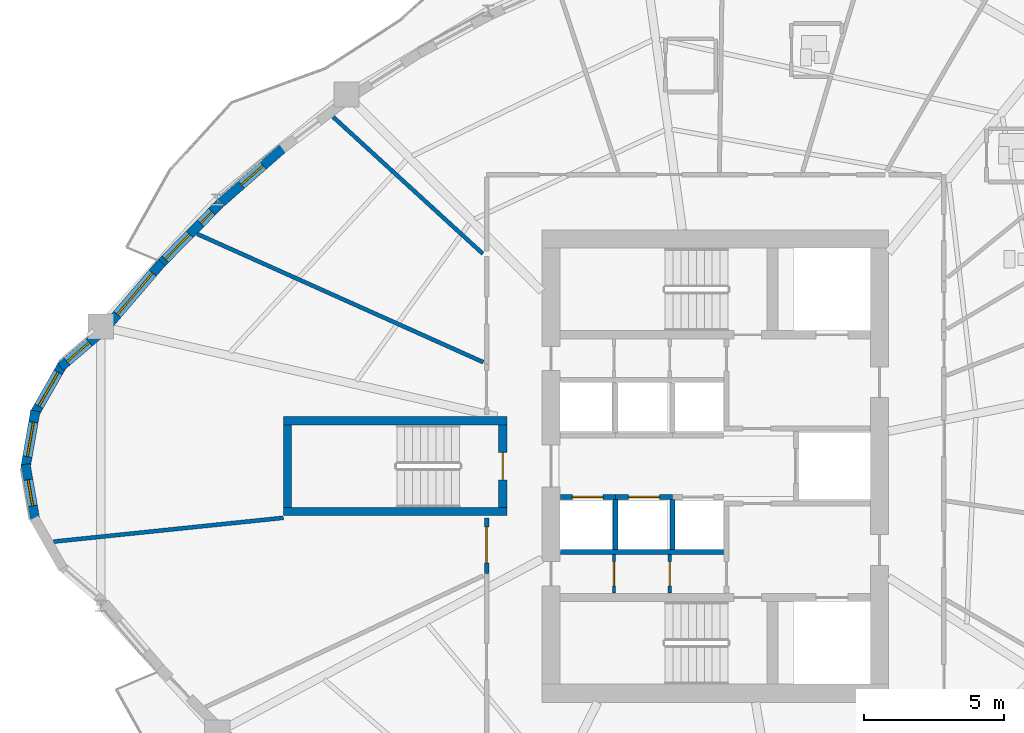
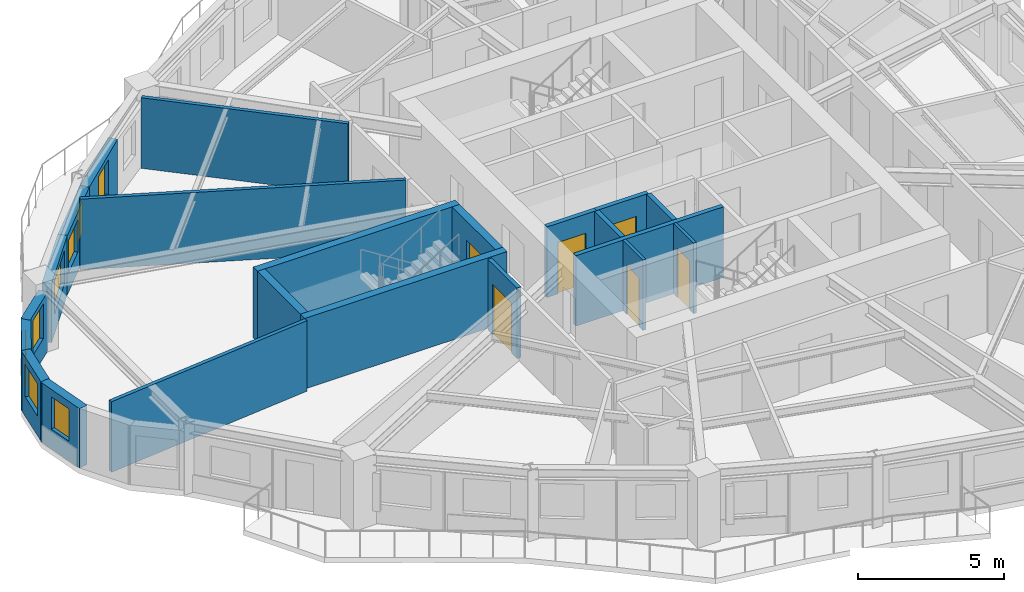
# One storey, part 4 of 12: 22 walls, 8 windows, 6 doors, 14 openings.
"""IFC4 building model written with IfcOpenShell, lengths in metres."""

import ifcopenshell
import ifcopenshell.guid

model = None  # the IFC model being written
_history = None  # IfcOwnerHistory: only IFC2X3 demands one
_inside = {}  # id of a spatial element -> (the spatial element, [elements in it])
_under = {}  # id of a project, library or spatial element -> (it, [spatial elements below it])
_declared = {}  # id of a project -> (the project, [libraries it declares])
_typed = {}  # id of a type object -> (the type object, [elements of that type])
_made_of = {}  # id of a material, layer set ... -> (it, [elements and type objects made of it])


def new_model(schema):
    """Start an empty IFC model of exactly this schema.

    Asked for "IFC4X3", IfcOpenShell would pick the latest addendum, in which some entities
    have other attributes; the version numbers below select the first issue.
    IFC2X3 requires an IfcOwnerHistory on every rooted entity: one is made here for all.
    """
    global model, _history
    if schema == "IFC4X3":
        model = ifcopenshell.file(schema_version=(4, 3, 0, 0))
    else:
        model = ifcopenshell.file(schema=schema)
    _inside.clear()
    _under.clear()
    _declared.clear()
    _typed.clear()
    _made_of.clear()
    _history = None
    if model.schema == "IFC2X3":
        org = make("IfcOrganization", Name="unknown")
        user = make(
            "IfcPersonAndOrganization",
            ThePerson=make("IfcPerson", FamilyName="unknown"),
            TheOrganization=org,
        )
        app = make(
            "IfcApplication",
            ApplicationDeveloper=org,
            Version="unknown",
            ApplicationFullName="unknown",
            ApplicationIdentifier="unknown",
        )
        _history = make(
            "IfcOwnerHistory",
            OwningUser=user,
            OwningApplication=app,
            ChangeAction="ADDED",
            CreationDate=0,
        )
    return model


def make(cls, **values):
    """One entity of the class cls with the attributes given. An attribute that is None is left unset."""
    return model.create_entity(
        cls, **{name: value for name, value in values.items() if value is not None}
    )


def rooted(cls, **values):
    """An entity with a GlobalId (a new one), such as an element, a storey or a relation."""
    return make(cls, GlobalId=ifcopenshell.guid.new(), OwnerHistory=_history, **values)


def si_unit(unit_type, name, prefix=None):
    """IfcSIUnit, for example si_unit("LENGTHUNIT", "METRE", prefix="MILLI")."""
    return make("IfcSIUnit", UnitType=unit_type, Prefix=prefix, Name=name)


def assignment(units):
    """IfcUnitAssignment: the units of a project."""
    return None if units is None else make("IfcUnitAssignment", Units=units)


def point(xyz):
    """IfcCartesianPoint."""
    return None if xyz is None else make("IfcCartesianPoint", Coordinates=xyz)


def direction(xyz):
    """IfcDirection."""
    return None if xyz is None else make("IfcDirection", DirectionRatios=xyz)


def frame(location, z_axis=None, x_axis=None):
    """IfcAxis2Placement3D, a coordinate frame: its origin and axes. An axis left out is left unset."""
    return make(
        "IfcAxis2Placement3D",
        Location=point(location),
        Axis=direction(z_axis),
        RefDirection=direction(x_axis),
    )


def frame_2d(location, x_axis=None):
    """IfcAxis2Placement2D, a coordinate frame in the plane: its origin and x axis."""
    return make(
        "IfcAxis2Placement2D", Location=point(location), RefDirection=direction(x_axis)
    )


def origin():
    """The frame at (0, 0, 0) with its axes left unset."""
    return frame((0.0, 0.0, 0.0))


def place(relative_to, where):
    """IfcLocalPlacement: puts the frame where relative to a parent placement (None: the world)."""
    return make(
        "IfcLocalPlacement", PlacementRelTo=relative_to, RelativePlacement=where
    )


def context(
    kind, dimensions, precision=None, world=None, true_north=None, identifier=None
):
    """IfcGeometricRepresentationContext, for example the 3D "Model" context."""
    return make(
        "IfcGeometricRepresentationContext",
        ContextIdentifier=identifier,
        ContextType=kind,
        CoordinateSpaceDimension=dimensions,
        Precision=precision,
        WorldCoordinateSystem=world,
        TrueNorth=true_north,
    )


def subcontext(parent, identifier, kind, view, scale=None):
    """IfcGeometricRepresentationSubContext, for example "Body" below "Model"."""
    return make(
        "IfcGeometricRepresentationSubContext",
        ContextIdentifier=identifier,
        ContextType=kind,
        ParentContext=parent,
        TargetScale=scale,
        TargetView=view,
    )


def project(units=None, contexts=None):
    """IfcProject with its units and contexts."""
    return rooted(
        "IfcProject",
        Name="project",
        RepresentationContexts=contexts,
        UnitsInContext=assignment(units),
    )


def spatial(cls, under=None, at=None, **own):
    """A site, building, storey or space (cls), placed at a placement, below another one or the project."""
    s = rooted(cls, ObjectPlacement=at, **own)
    if under is not None:
        _under.setdefault(under.id(), (under, []))[1].append(s)
    return s


def profile(cls, at=None, kind="AREA", **sizes):
    """A parametric profile (cls). Its sizes go by their IFC names, for example OverallWidth=200.0."""
    return make(cls, ProfileType=kind, Position=at, **sizes)


def rectangle(**sizes):
    """IfcRectangleProfileDef."""
    return profile("IfcRectangleProfileDef", **sizes)


def extrude(swept, where, along, depth):
    """IfcExtrudedAreaSolid: the profile swept, set in the frame where, extruded along a direction by depth."""
    return make(
        "IfcExtrudedAreaSolid",
        SweptArea=swept,
        Position=where,
        ExtrudedDirection=direction(along),
        Depth=depth,
    )


def shape(context_of_items, identifier, shape_type, items):
    """IfcShapeRepresentation: the items that make up one representation, for example the "Body"."""
    return make(
        "IfcShapeRepresentation",
        ContextOfItems=context_of_items,
        RepresentationIdentifier=identifier,
        RepresentationType=shape_type,
        Items=items,
    )


def source(mapping_origin, context_of_items, identifier, shape_type, items):
    """IfcRepresentationMap: a shape defined once, which mapped items show again and again."""
    return make(
        "IfcRepresentationMap",
        MappingOrigin=mapping_origin,
        MappedRepresentation=shape(context_of_items, identifier, shape_type, items),
    )


def transform(
    local_origin,
    x_axis=None,
    y_axis=None,
    z_axis=None,
    scale=None,
    scale2=None,
    scale3=None,
    uniform=True,
):
    """IfcCartesianTransformationOperator3D, or its non-uniform kind. x_axis, y_axis, z_axis: its Axis1, 2, 3."""
    if uniform:
        return make(
            "IfcCartesianTransformationOperator3D",
            Axis1=direction(x_axis),
            Axis2=direction(y_axis),
            LocalOrigin=point(local_origin),
            Scale=scale,
            Axis3=direction(z_axis),
        )
    return make(
        "IfcCartesianTransformationOperator3DnonUniform",
        Axis1=direction(x_axis),
        Axis2=direction(y_axis),
        LocalOrigin=point(local_origin),
        Scale=scale,
        Axis3=direction(z_axis),
        Scale2=scale2,
        Scale3=scale3,
    )


def mapped(mapping_source, mapping_target):
    """IfcMappedItem: shows the shape of a source again, moved by a transform."""
    return make(
        "IfcMappedItem", MappingSource=mapping_source, MappingTarget=mapping_target
    )


def material(Name=None, Category=None):
    """IfcMaterial."""
    return make("IfcMaterial", Name=Name, Category=Category)


def layer(
    of_material, thickness, ventilated=None, Name=None, Category=None, Priority=None
):
    """IfcMaterialLayer: one layer of a wall or slab, of a material (None: an air gap)."""
    return make(
        "IfcMaterialLayer",
        Material=of_material,
        LayerThickness=thickness,
        IsVentilated=ventilated,
        Name=Name,
        Category=Category,
        Priority=Priority,
    )


def layer_set(layers, Name=None):
    """IfcMaterialLayerSet."""
    return make("IfcMaterialLayerSet", MaterialLayers=layers, LayerSetName=Name)


def made_of(thing, what):
    """Note that an element or type object is made of a material, layer set ...; save() writes the relation."""
    if what is not None:
        _made_of.setdefault(what.id(), (what, []))[1].append(thing)
    return thing


def type_object(cls, material=None, **own):
    """A type object (cls), such as IfcWallType, which elements share."""
    return made_of(rooted(cls, **own), material)


def element(
    cls,
    number,
    at=None,
    inside=None,
    cuts=None,
    type_object=None,
    material=None,
    context=None,
    identifier="Body",
    shape_type=None,
    held_by="IfcProductDefinitionShape",
    body=None,
    shapes=None,
    **own,
):
    """One element of the class cls, such as IfcWall. Its Tag is "e" and its number.

    at: its placement. inside: the storey or other place that contains it. cuts: it is an
    opening in that element (IfcRelVoidsElement). A single representation is given by context,
    identifier, shape_type and body (its items); several are given by shapes. held_by: the class
    of the entity that holds the representations. save() writes the other relations.
    """
    e = rooted(cls, Tag="e%d" % number, ObjectPlacement=at, **own)
    if body is not None:
        shapes = [shape(context, identifier, shape_type, body)]
    if shapes is not None:
        e.Representation = make(held_by, Representations=shapes)
    if inside is not None:
        _inside.setdefault(inside.id(), (inside, []))[1].append(e)
    if cuts is not None:
        rooted(
            "IfcRelVoidsElement", RelatingBuildingElement=cuts, RelatedOpeningElement=e
        )
    if type_object is not None:
        _typed.setdefault(type_object.id(), (type_object, []))[1].append(e)
    return made_of(e, material)


def fill(opening, filler):
    """IfcRelFillsElement: the door or window that sits in an opening."""
    return rooted(
        "IfcRelFillsElement",
        RelatingOpeningElement=opening,
        RelatedBuildingElement=filler,
    )


def aggregate(whole, parts):
    """IfcRelAggregates: a whole, such as a stair, and the parts it consists of."""
    return rooted("IfcRelAggregates", RelatingObject=whole, RelatedObjects=parts)


def save(model, path):
    """Write the relations noted so far, then the file.

    IfcRelAggregates (storeys below a building ...), IfcRelContainedInSpatialStructure (elements
    in a storey), IfcRelDefinesByType, IfcRelAssociatesMaterial and IfcRelDeclares: one each for
    every whole, place, type object, material and project.
    """
    for whole, parts in _under.values():
        aggregate(whole, parts)
    for where, things in _inside.values():
        rooted(
            "IfcRelContainedInSpatialStructure",
            RelatedElements=things,
            RelatingStructure=where,
        )
    for kind, things in _typed.values():
        rooted("IfcRelDefinesByType", RelatedObjects=things, RelatingType=kind)
    for what, things in _made_of.values():
        rooted("IfcRelAssociatesMaterial", RelatedObjects=things, RelatingMaterial=what)
    for by, libraries in _declared.values():
        rooted("IfcRelDeclares", RelatingContext=by, RelatedDefinitions=libraries)
    model.write(path)


model = new_model("IFC4")

# Units and contexts
model_context = context("Model", 3, precision=1e-05, world=origin(), true_north=direction((0.0, 1.0)))
body_context = subcontext(model_context, "Body", "Model", "MODEL_VIEW")
ifc_project = project(units=[si_unit("LENGTHUNIT", "METRE"), si_unit("AREAUNIT", "SQUARE_METRE"), si_unit("VOLUMEUNIT", "CUBIC_METRE"), si_unit("PLANEANGLEUNIT", "RADIAN"), si_unit("MASSUNIT", "GRAM", prefix="KILO")], contexts=[model_context])

# Site, building, storey
site_placement = place(None, origin())
site = spatial("IfcSite", under=ifc_project, at=site_placement, CompositionType="ELEMENT")
building_placement = place(site_placement, origin())
building = spatial("IfcBuilding", under=site, at=building_placement, Name="Qafzar Sky-Pleat Residences", CompositionType="ELEMENT")
storey_placement = place(building_placement, frame((0.0, 0.0, 96.0)))
storey = spatial("IfcBuildingStorey", under=building, at=storey_placement, Name="L28", CompositionType="ELEMENT", Elevation=96.0)

# Wall, opening, door
ifc_material_1 = material(Name="Acoustic gypsum plasterboard partition", Category="gypsum")
ifc_layer_1 = layer(ifc_material_1, 0.159912109375)
ifc_layer_set_1 = layer_set([ifc_layer_1], Name="Acoustic gypsum plasterboard partition")
wall_type_1 = type_object("IfcWallType", Name="PART-COR-160", PredefinedType="PARTITIONING", material=ifc_layer_set_1)
wall_1_placement = place(storey_placement, frame((22.169921875, 22.1640625, 0.0), z_axis=(0.0, 0.0, 1.0), x_axis=(0.0, 1.0, 0.0)))
wall_1 = element("IfcWall", 1, at=wall_1_placement, inside=storey, type_object=wall_type_1, Name="L28 Partition Wall PART-L28-PW-014", PredefinedType="PARTITIONING", context=body_context, shape_type="SweptSolid", body=[
    extrude(rectangle(XDim=1.98583984375, YDim=0.159912109375, at=frame_2d((0.992919921875, 0.0))), origin(), (0.0, 0.0, 1.0), 2.949951171875),
])
opening_1_placement = place(wall_1_placement, frame((0.364990234375, 0.0, 0.0)))
opening_1 = element("IfcOpeningElement", 2, at=opening_1_placement, cuts=wall_1, Name="Opening ID-05", PredefinedType="OPENING", context=body_context, shape_type="SweptSolid", body=[
    extrude(rectangle(XDim=1.300048828125, YDim=2.10009765625, at=frame_2d((0.64990234375, 1.050048828125))), frame((0.0, 0.08984375, 0.0), z_axis=(0.0, -1.0, 0.0), x_axis=(1.0, 0.0, 0.0)), (0.0, 0.0, 1.0), 0.179931640625),
])
ifc_material_2 = material(Name="Timber-faced fire door", Category="wood")
door_type_1 = type_object("IfcDoorType", Name="DR-LNG-1300", OperationType="DOUBLE_DOOR_SINGLE_SWING", PredefinedType="DOOR", material=ifc_material_2)
shared_shape_1 = source(origin(), body_context, "Body", "SweptSolid", [
    extrude(rectangle(XDim=1.300048828125, YDim=2.10009765625, at=frame_2d((0.64990234375, 1.050048828125))), frame((0.0, 0.02490234375, 0.0), z_axis=(0.0, -1.0, 0.0), x_axis=(1.0, 0.0, 0.0)), (0.0, 0.0, 1.0), 0.050048828125),
])
door_1_placement = place(opening_1_placement, origin())
door_1 = element("IfcDoor", 3, at=door_1_placement, inside=storey, type_object=door_type_1, Name="L28 Research Conference Room Door", OperationType="DOUBLE_DOOR_SINGLE_SWING", OverallHeight=2.10009765625, OverallWidth=1.300048828125, PredefinedType="DOOR", context=body_context, shape_type="MappedRepresentation", body=[
    mapped(shared_shape_1, transform((0.0, 0.0, 0.0), x_axis=(1.0, 0.0, 0.0), y_axis=(0.0, 1.0, 0.0), z_axis=(0.0, 0.0, 1.0), scale=1.0)),
])
fill(opening_1, door_1)

# Wall
ifc_material_3 = material(Name="Concrete blockwork partition", Category="masonry")
ifc_layer_2 = layer(ifc_material_3, 0.179931640625)
ifc_layer_set_2 = layer_set([ifc_layer_2], Name="Concrete blockwork partition")
wall_type_2 = type_object("IfcWallType", Name="PART-SHAFT-180", PredefinedType="PARTITIONING", material=ifc_layer_set_2)
wall_2_placement = place(storey_placement, frame((24.81005859375, 22.919921875, 0.0), z_axis=(0.0, 0.0, 1.0), x_axis=(1.0, 0.0, 0.0)))
element("IfcWall", 4, at=wall_2_placement, inside=storey, type_object=wall_type_2, Name="L28 Partition Wall PART-L28-P13-S", PredefinedType="PARTITIONING", context=body_context, shape_type="SweptSolid", body=[
    extrude(rectangle(XDim=5.83984375, YDim=0.179931640625, at=frame_2d((2.919921875, 0.0))), origin(), (0.0, 0.0, 1.0), 2.949951171875),
])

# Wall, opening, door
wall_3_placement = place(storey_placement, frame((24.81005859375, 24.89990234375, 0.0), z_axis=(0.0, 0.0, 1.0), x_axis=(1.0, 0.0, 0.0)))
wall_3 = element("IfcWall", 5, at=wall_3_placement, inside=storey, type_object=wall_type_2, Name="L28 Partition Wall PART-L28-P1-N", PredefinedType="PARTITIONING", context=body_context, shape_type="SweptSolid", body=[
    extrude(rectangle(XDim=1.96484375, YDim=0.179931640625, at=frame_2d((0.982421875, 0.0))), origin(), (0.0, 0.0, 1.0), 2.949951171875),
])
opening_2_placement = place(wall_3_placement, frame((0.4326171875, 0.0, 0.0)))
opening_2 = element("IfcOpeningElement", 6, at=opening_2_placement, cuts=wall_3, Name="Opening LD-01", PredefinedType="OPENING", context=body_context, shape_type="SweptSolid", body=[
    extrude(rectangle(XDim=1.10009765625, YDim=2.14990234375, at=frame_2d((0.550048828125, 1.074951171875))), frame((0.0, 0.10009765625, 0.0), z_axis=(0.0, -1.0, 0.0), x_axis=(1.0, 0.0, 0.0)), (0.0, 0.0, 1.0), 0.199951171875),
])
ifc_material_4 = material(Name="Stainless steel sliding landing door", Category="steel")
door_type_2 = type_object("IfcDoorType", Name="DR-LIFT-P", OperationType="DOUBLE_DOOR_SLIDING", PredefinedType="DOOR", material=ifc_material_4)
shared_shape_2 = source(origin(), body_context, "Body", "SweptSolid", [
    extrude(rectangle(XDim=1.10009765625, YDim=2.14990234375, at=frame_2d((0.550048828125, 1.074951171875))), frame((0.0, 0.02490234375, 0.0), z_axis=(0.0, -1.0, 0.0), x_axis=(1.0, 0.0, 0.0)), (0.0, 0.0, 1.0), 0.050048828125),
])
door_2_placement = place(opening_2_placement, origin())
door_2 = element("IfcDoor", 7, at=door_2_placement, inside=storey, type_object=door_type_2, Name="L28 Passenger Lift P1 Landing Door", OperationType="DOUBLE_DOOR_SLIDING", OverallHeight=2.14990234375, OverallWidth=1.10009765625, PredefinedType="DOOR", context=body_context, shape_type="MappedRepresentation", body=[
    mapped(shared_shape_2, transform((0.0, 0.0, 0.0), x_axis=(1.0, 0.0, 0.0), y_axis=(0.0, 1.0, 0.0), z_axis=(0.0, 0.0, 1.0), scale=1.0)),
])
fill(opening_2, door_2)

wall_4_placement = place(storey_placement, frame((26.77490234375, 24.89990234375, 0.0), z_axis=(0.0, 0.0, 1.0), x_axis=(1.0, 0.0, 0.0)))
wall_4 = element("IfcWall", 8, at=wall_4_placement, inside=storey, type_object=wall_type_2, Name="L28 Partition Wall PART-L28-P2-N", PredefinedType="PARTITIONING", context=body_context, shape_type="SweptSolid", body=[
    extrude(rectangle(XDim=2.050048828125, YDim=0.179931640625, at=frame_2d((1.02490234375, 0.0))), origin(), (0.0, 0.0, 1.0), 2.949951171875),
])
opening_3_placement = place(wall_4_placement, frame((0.47509765625, 0.0, 0.0)))
opening_3 = element("IfcOpeningElement", 9, at=opening_3_placement, cuts=wall_4, Name="Opening LD-01", PredefinedType="OPENING", context=body_context, shape_type="SweptSolid", body=[
    extrude(rectangle(XDim=1.10009765625, YDim=2.14990234375, at=frame_2d((0.550048828125, 1.074951171875))), frame((0.0, 0.10009765625, 0.0), z_axis=(0.0, -1.0, 0.0), x_axis=(1.0, 0.0, 0.0)), (0.0, 0.0, 1.0), 0.199951171875),
])
door_3_placement = place(opening_3_placement, origin())
door_3 = element("IfcDoor", 10, at=door_3_placement, inside=storey, type_object=door_type_2, Name="L28 Passenger Lift P2 Landing Door", OperationType="DOUBLE_DOOR_SLIDING", OverallHeight=2.14990234375, OverallWidth=1.10009765625, PredefinedType="DOOR", context=body_context, shape_type="MappedRepresentation", body=[
    mapped(shared_shape_2, transform((0.0, 0.0, 0.0), x_axis=(1.0, 0.0, 0.0), y_axis=(0.0, 1.0, 0.0), z_axis=(0.0, 0.0, 1.0), scale=1.0)),
])
fill(opening_3, door_3)

# Walls
for number, where, z_axis, x_axis, name in (
    (11, (26.77490234375, 23.02001953125, 0.0), (0.0, 0.0, 1.0), (0.0, 1.0, 0.0), "L28 Partition Wall PART-L28-P13-DIV-1"),
    (12, (28.824951171875, 23.02001953125, 0.0), (0.0, 0.0, 1.0), (0.0, 1.0, 0.0), "L28 Partition Wall PART-L28-P13-DIV-2"),
):
    element("IfcWall", number, at=place(storey_placement, frame(where, z_axis=z_axis, x_axis=x_axis)), inside=storey, type_object=wall_type_2, Name=name, PredefinedType="PARTITIONING", context=body_context, shape_type="SweptSolid", body=[
        extrude(rectangle(XDim=1.780029296875, YDim=0.179931640625, at=frame_2d((0.89013671875, 0.0))), origin(), (0.0, 0.0, 1.0), 2.949951171875),
    ])

# Wall, opening, door
ifc_material_5 = material(Name="Gypsum plasterboard partition", Category="gypsum")
ifc_layer_3 = layer(ifc_material_5, 0.114990234375)
ifc_layer_set_3 = layer_set([ifc_layer_3], Name="Gypsum plasterboard partition")
wall_type_3 = type_object("IfcWallType", Name="PART-SVC-115", PredefinedType="PARTITIONING", material=ifc_layer_set_3)
wall_5_placement = place(storey_placement, frame((26.72509765625, 21.4599609375, 0.0), z_axis=(0.0, 0.0, 1.0), x_axis=(0.0, 1.0, 0.0)))
wall_5 = element("IfcWall", 13, at=wall_5_placement, inside=storey, type_object=wall_type_3, Name="L28 Partition Wall PART-L28-KC-SW-1", PredefinedType="PARTITIONING", context=body_context, shape_type="SweptSolid", body=[
    extrude(rectangle(XDim=1.380126953125, YDim=0.114990234375, at=frame_2d((0.68994140625, 0.0))), origin(), (0.0, 0.0, 1.0), 2.949951171875),
])
opening_4_placement = place(wall_5_placement, frame((0.260009765625, 0.0, 0.0)))
opening_4 = element("IfcOpeningElement", 14, at=opening_4_placement, cuts=wall_5, Name="Opening ID-09", PredefinedType="OPENING", context=body_context, shape_type="SweptSolid", body=[
    extrude(rectangle(XDim=0.860107421875, YDim=2.050048828125, at=frame_2d((0.43017578125, 1.02490234375))), frame((0.0, 0.0673828125, 0.0), z_axis=(0.0, -1.0, 0.0), x_axis=(1.0, 0.0, 0.0)), (0.0, 0.0, 1.0), 0.135009765625),
])
door_type_3 = type_object("IfcDoorType", Name="DR-SVC-860", OperationType="NOTDEFINED", PredefinedType="DOOR", material=ifc_material_2)
shared_shape_3 = source(origin(), body_context, "Body", "SweptSolid", [
    extrude(rectangle(XDim=0.860107421875, YDim=2.050048828125, at=frame_2d((0.43017578125, 1.02490234375))), frame((0.0, 0.02490234375, 0.0), z_axis=(0.0, -1.0, 0.0), x_axis=(1.0, 0.0, 0.0)), (0.0, 0.0, 1.0), 0.050048828125),
])
door_4_placement = place(opening_4_placement, origin())
door_4 = element("IfcDoor", 15, at=door_4_placement, inside=storey, type_object=door_type_3, Name="L28 Core South Cupboard 1 Door", OperationType="SINGLE_SWING_RIGHT", OverallHeight=2.050048828125, OverallWidth=0.860107421875, PredefinedType="DOOR", context=body_context, shape_type="MappedRepresentation", body=[
    mapped(shared_shape_3, transform((0.0, 0.0, 0.0), x_axis=(1.0, 0.0, 0.0), y_axis=(0.0, 1.0, 0.0), z_axis=(0.0, 0.0, 1.0), scale=1.0)),
])
fill(opening_4, door_4)

wall_6_placement = place(storey_placement, frame((28.72509765625, 21.4599609375, 0.0), z_axis=(0.0, 0.0, 1.0), x_axis=(0.0, 1.0, 0.0)))
wall_6 = element("IfcWall", 16, at=wall_6_placement, inside=storey, type_object=wall_type_3, Name="L28 Partition Wall PART-L28-KC-SW-2", PredefinedType="PARTITIONING", context=body_context, shape_type="SweptSolid", body=[
    extrude(rectangle(XDim=1.380126953125, YDim=0.114990234375, at=frame_2d((0.68994140625, 0.0))), origin(), (0.0, 0.0, 1.0), 2.949951171875),
])
opening_5_placement = place(wall_6_placement, frame((0.260009765625, 0.0, 0.0)))
opening_5 = element("IfcOpeningElement", 17, at=opening_5_placement, cuts=wall_6, Name="Opening ID-09", PredefinedType="OPENING", context=body_context, shape_type="SweptSolid", body=[
    extrude(rectangle(XDim=0.860107421875, YDim=2.050048828125, at=frame_2d((0.43017578125, 1.02490234375))), frame((0.0, 0.0673828125, 0.0), z_axis=(0.0, -1.0, 0.0), x_axis=(1.0, 0.0, 0.0)), (0.0, 0.0, 1.0), 0.135009765625),
])
door_5_placement = place(opening_5_placement, origin())
door_5 = element("IfcDoor", 18, at=door_5_placement, inside=storey, type_object=door_type_3, Name="L28 Core South Cupboard 2 Door", OperationType="SINGLE_SWING_RIGHT", OverallHeight=2.050048828125, OverallWidth=0.860107421875, PredefinedType="DOOR", context=body_context, shape_type="MappedRepresentation", body=[
    mapped(shared_shape_3, transform((0.0, 0.0, 0.0), x_axis=(1.0, 0.0, 0.0), y_axis=(0.0, 1.0, 0.0), z_axis=(0.0, 0.0, 1.0), scale=1.0)),
])
fill(opening_5, door_5)

# Walls
ifc_layer_4 = layer(ifc_material_1, 0.14501953125)
ifc_layer_set_4 = layer_set([ifc_layer_4], Name="Acoustic gypsum plasterboard partition")
wall_type_4 = type_object("IfcWallType", Name="PART-UNIT-145", PredefinedType="PARTITIONING", material=ifc_layer_set_4)
wall_7_placement = place(storey_placement, frame((11.816650390625, 34.306640625, 0.0), z_axis=(0.0, 0.0, 1.0), x_axis=(0.912528092457, -0.409014034572, 0.0)))
element("IfcWall", 19, at=wall_7_placement, inside=storey, type_object=wall_type_4, Name="L28 Partition Wall PART-L28-PW-022", PredefinedType="PARTITIONING", context=body_context, shape_type="SweptSolid", body=[
    extrude(rectangle(XDim=11.217529296875, YDim=0.14501953125, at=frame_2d((5.60888671875, 0.0))), origin(), (0.0, 0.0, 1.0), 2.949951171875),
])
wall_8_placement = place(storey_placement, frame((6.677978515625, 23.298583984375, 0.0), z_axis=(0.0, 0.0, 1.0), x_axis=(0.994682199009, 0.102991858774, 0.0)))
element("IfcWall", 20, at=wall_8_placement, inside=storey, type_object=wall_type_4, Name="L28 Partition Wall PART-L28-PW-028", PredefinedType="PARTITIONING", context=body_context, shape_type="SweptSolid", body=[
    extrude(rectangle(XDim=8.265869140625, YDim=0.14501953125, at=frame_2d((4.1328125, 0.0))), origin(), (0.0, 0.0, 1.0), 2.949951171875),
])
wall_9_placement = place(storey_placement, frame((16.68310546875, 38.49072265625, 0.0), z_axis=(0.0, 0.0, 1.0), x_axis=(0.738145700324, -0.674641330704, 0.0)))
element("IfcWall", 21, at=wall_9_placement, inside=storey, type_object=wall_type_4, Name="L28 Partition Wall PART-L28-PW-029", PredefinedType="PARTITIONING", context=body_context, shape_type="SweptSolid", body=[
    extrude(rectangle(XDim=7.250732421875, YDim=0.14501953125, at=frame_2d((3.62548828125, 0.0))), origin(), (0.0, 0.0, 1.0), 2.949951171875),
])

# Wall, opening, window
ifc_material_6 = material(Name="Precast concrete C40/50 with honed Riyadh limestone", Category="concrete")
ifc_layer_5 = layer(ifc_material_6, 0.340087890625)
ifc_layer_set_5 = layer_set([ifc_layer_5], Name="Precast concrete C40/50 with honed Riyadh limestone")
wall_type_5 = type_object("IfcWallType", Name="WALL-EXT-340", PredefinedType="SOLIDWALL", material=ifc_layer_set_5)
wall_10_placement = place(storey_placement, frame((8.30029296875, 30.7177734375, 0.0), z_axis=(0.0, 0.0, 1.0), x_axis=(-0.761191299493, -0.648527413126, 0.0)))
wall_10 = element("IfcWall", 22, at=wall_10_placement, inside=storey, type_object=wall_type_5, Name="L28 Limestone Facade Wall 1", PredefinedType="SOLIDWALL", context=body_context, shape_type="SweptSolid", body=[
    extrude(rectangle(XDim=1.80517578125, YDim=0.340087890625, at=frame_2d((0.902587890625, 0.0))), origin(), (0.0, 0.0, 1.0), 2.47998046875),
])
opening_6_placement = place(wall_10_placement, frame((0.452392578125, 0.0, 0.820068359375)))
opening_6 = element("IfcOpeningElement", 23, at=opening_6_placement, cuts=wall_10, Name="Opening WN-06", PredefinedType="OPENING", context=body_context, shape_type="SweptSolid", body=[
    extrude(rectangle(XDim=1.050048828125, YDim=1.449951171875, at=frame_2d((0.52490234375, 0.72509765625))), frame((0.0, 0.18017578125, 0.0), z_axis=(0.0, -1.0, 0.0), x_axis=(1.0, 0.0, 0.0)), (0.0, 0.0, 1.0), 0.360107421875),
])
ifc_material_7 = material(Name="Solar-control low-E glass in bronze aluminium frame", Category="glass")
window_type_1 = type_object("IfcWindowType", Name="WIN-06", PartitioningType="SINGLE_PANEL", PredefinedType="WINDOW", material=ifc_material_7)
shared_shape_4 = source(origin(), body_context, "Body", "SweptSolid", [
    extrude(rectangle(XDim=1.050048828125, YDim=1.449951171875, at=frame_2d((0.52490234375, 0.72509765625))), frame((0.0, 0.030029296875, 0.0), z_axis=(0.0, -1.0, 0.0), x_axis=(1.0, 0.0, 0.0)), (0.0, 0.0, 1.0), 0.06005859375),
])
window_1_placement = place(opening_6_placement, origin())
window_1 = element("IfcWindow", 24, at=window_1_placement, inside=storey, type_object=window_type_1, Name="L28 Punched Facade Window 01", OverallHeight=1.449951171875, OverallWidth=1.050048828125, PartitioningType="SINGLE_PANEL", PredefinedType="WINDOW", context=body_context, shape_type="MappedRepresentation", body=[
    mapped(shared_shape_4, transform((0.0, 0.0, 0.0), x_axis=(1.0, 0.0, 0.0), y_axis=(0.0, 1.0, 0.0), z_axis=(0.0, 0.0, 1.0), scale=1.0)),
])
fill(opening_6, window_1)

wall_11_placement = place(storey_placement, frame((7.011474609375, 29.64990234375, 0.0), z_axis=(0.0, 0.0, 1.0), x_axis=(-0.496037473582, -0.868301114132, 0.0)))
wall_11 = element("IfcWall", 25, at=wall_11_placement, inside=storey, type_object=wall_type_5, Name="L28 Limestone Facade Wall 2", PredefinedType="SOLIDWALL", context=body_context, shape_type="SweptSolid", body=[
    extrude(rectangle(XDim=2.072998046875, YDim=0.340087890625, at=frame_2d((1.03662109375, 0.0))), origin(), (0.0, 0.0, 1.0), 2.47998046875),
])
opening_7_placement = place(wall_11_placement, frame((0.33642578125, 0.0, 0.820068359375)))
opening_7 = element("IfcOpeningElement", 26, at=opening_7_placement, cuts=wall_11, Name="Opening WN-10", PredefinedType="OPENING", context=body_context, shape_type="SweptSolid", body=[
    extrude(rectangle(XDim=1.39990234375, YDim=1.35009765625, at=frame_2d((0.699951171875, 0.675048828125))), frame((0.0, 0.18017578125, 0.0), z_axis=(0.0, -1.0, 0.0), x_axis=(1.0, 0.0, 0.0)), (0.0, 0.0, 1.0), 0.360107421875),
])
window_type_2 = type_object("IfcWindowType", Name="WIN-10", PartitioningType="SINGLE_PANEL", PredefinedType="WINDOW", material=ifc_material_7)
shared_shape_5 = source(origin(), body_context, "Body", "SweptSolid", [
    extrude(rectangle(XDim=1.39990234375, YDim=1.35009765625, at=frame_2d((0.699951171875, 0.675048828125))), frame((0.0, 0.030029296875, 0.0), z_axis=(0.0, -1.0, 0.0), x_axis=(1.0, 0.0, 0.0)), (0.0, 0.0, 1.0), 0.06005859375),
])
window_2_placement = place(opening_7_placement, origin())
window_2 = element("IfcWindow", 27, at=window_2_placement, inside=storey, type_object=window_type_2, Name="L28 Punched Facade Window 02", OverallHeight=1.35009765625, OverallWidth=1.39990234375, PartitioningType="SINGLE_PANEL", PredefinedType="WINDOW", context=body_context, shape_type="MappedRepresentation", body=[
    mapped(shared_shape_5, transform((0.0, 0.0, 0.0), x_axis=(1.0, 0.0, 0.0), y_axis=(0.0, 1.0, 0.0), z_axis=(0.0, 0.0, 1.0), scale=1.0)),
])
fill(opening_7, window_2)

wall_12_placement = place(storey_placement, frame((6.0283203125, 27.975341796875, 0.0), z_axis=(0.0, 0.0, 1.0), x_axis=(-0.172186061474, -0.985064444711, 0.0)))
wall_12 = element("IfcWall", 28, at=wall_12_placement, inside=storey, type_object=wall_type_5, Name="L28 Limestone Facade Wall 3", PredefinedType="SOLIDWALL", context=body_context, shape_type="SweptSolid", body=[
    extrude(rectangle(XDim=2.072998046875, YDim=0.340087890625, at=frame_2d((1.03662109375, 0.0))), origin(), (0.0, 0.0, 1.0), 2.47998046875),
])
opening_8_placement = place(wall_12_placement, frame((0.41162109375, 0.0, 0.820068359375)))
opening_8 = element("IfcOpeningElement", 29, at=opening_8_placement, cuts=wall_12, Name="Opening WN-11", PredefinedType="OPENING", context=body_context, shape_type="SweptSolid", body=[
    extrude(rectangle(XDim=1.25, YDim=1.35009765625, at=frame_2d((0.625, 0.675048828125))), frame((0.0, 0.18017578125, 0.0), z_axis=(0.0, -1.0, 0.0), x_axis=(1.0, 0.0, 0.0)), (0.0, 0.0, 1.0), 0.360107421875),
])
window_type_3 = type_object("IfcWindowType", Name="WIN-11", PartitioningType="SINGLE_PANEL", PredefinedType="WINDOW", material=ifc_material_7)
shared_shape_6 = source(origin(), body_context, "Body", "SweptSolid", [
    extrude(rectangle(XDim=1.25, YDim=1.35009765625, at=frame_2d((0.625, 0.675048828125))), frame((0.0, 0.030029296875, 0.0), z_axis=(0.0, -1.0, 0.0), x_axis=(1.0, 0.0, 0.0)), (0.0, 0.0, 1.0), 0.06005859375),
])
window_3_placement = place(opening_8_placement, origin())
window_3 = element("IfcWindow", 30, at=window_3_placement, inside=storey, type_object=window_type_3, Name="L28 Punched Facade Window 03", OverallHeight=1.35009765625, OverallWidth=1.25, PartitioningType="SINGLE_PANEL", PredefinedType="WINDOW", context=body_context, shape_type="MappedRepresentation", body=[
    mapped(shared_shape_6, transform((0.0, 0.0, 0.0), x_axis=(1.0, 0.0, 0.0), y_axis=(0.0, 1.0, 0.0), z_axis=(0.0, 0.0, 1.0), scale=1.0)),
])
fill(opening_8, window_3)

wall_13_placement = place(storey_placement, frame((5.67138671875, 26.066650390625, 0.0), z_axis=(0.0, 0.0, 1.0), x_axis=(0.172186061474, -0.985064444711, 0.0)))
wall_13 = element("IfcWall", 31, at=wall_13_placement, inside=storey, type_object=wall_type_5, Name="L28 Limestone Facade Wall 4", PredefinedType="SOLIDWALL", context=body_context, shape_type="SweptSolid", body=[
    extrude(rectangle(XDim=2.072998046875, YDim=0.340087890625, at=frame_2d((1.03662109375, 0.0))), origin(), (0.0, 0.0, 1.0), 2.47998046875),
])
opening_9_placement = place(wall_13_placement, frame((0.5615234375, 0.0, 0.820068359375)))
opening_9 = element("IfcOpeningElement", 32, at=opening_9_placement, cuts=wall_13, Name="Opening WN-12", PredefinedType="OPENING", context=body_context, shape_type="SweptSolid", body=[
    extrude(rectangle(XDim=0.949951171875, YDim=1.35009765625, at=frame_2d((0.47509765625, 0.675048828125))), frame((0.0, 0.18017578125, 0.0), z_axis=(0.0, -1.0, 0.0), x_axis=(1.0, 0.0, 0.0)), (0.0, 0.0, 1.0), 0.360107421875),
])
window_type_4 = type_object("IfcWindowType", Name="WIN-12", PartitioningType="SINGLE_PANEL", PredefinedType="WINDOW", material=ifc_material_7)
shared_shape_7 = source(origin(), body_context, "Body", "SweptSolid", [
    extrude(rectangle(XDim=0.949951171875, YDim=1.35009765625, at=frame_2d((0.47509765625, 0.675048828125))), frame((0.0, 0.030029296875, 0.0), z_axis=(0.0, -1.0, 0.0), x_axis=(1.0, 0.0, 0.0)), (0.0, 0.0, 1.0), 0.06005859375),
])
window_4_placement = place(opening_9_placement, origin())
window_4 = element("IfcWindow", 33, at=window_4_placement, inside=storey, type_object=window_type_4, Name="L28 Punched Facade Window 04", OverallHeight=1.35009765625, OverallWidth=0.949951171875, PartitioningType="SINGLE_PANEL", PredefinedType="WINDOW", context=body_context, shape_type="MappedRepresentation", body=[
    mapped(shared_shape_7, transform((0.0, 0.0, 0.0), x_axis=(1.0, 0.0, 0.0), y_axis=(0.0, 1.0, 0.0), z_axis=(0.0, 0.0, 1.0), scale=1.0)),
])
fill(opening_9, window_4)

wall_14_placement = place(storey_placement, frame((14.92919921875, 37.41162109375, 0.0), z_axis=(0.0, 0.0, 1.0), x_axis=(-0.751438268977, -0.659803400959, 0.0)))
wall_14 = element("IfcWall", 34, at=wall_14_placement, inside=storey, type_object=wall_type_5, Name="L28 Limestone Facade Wall 46", PredefinedType="SOLIDWALL", context=body_context, shape_type="SweptSolid", body=[
    extrude(rectangle(XDim=3.0185546875, YDim=0.340087890625, at=frame_2d((1.50927734375, 0.0))), origin(), (0.0, 0.0, 1.0), 2.47998046875),
])
opening_10_placement = place(wall_14_placement, frame((0.994384765625, 0.0, 0.820068359375)))
opening_10 = element("IfcOpeningElement", 35, at=opening_10_placement, cuts=wall_14, Name="Opening WN-06", PredefinedType="OPENING", context=body_context, shape_type="SweptSolid", body=[
    extrude(rectangle(XDim=1.050048828125, YDim=1.449951171875, at=frame_2d((0.52490234375, 0.72509765625))), frame((0.0, 0.18017578125, 0.0), z_axis=(0.0, -1.0, 0.0), x_axis=(1.0, 0.0, 0.0)), (0.0, 0.0, 1.0), 0.360107421875),
])
window_5_placement = place(opening_10_placement, origin())
window_5 = element("IfcWindow", 36, at=window_5_placement, inside=storey, type_object=window_type_1, Name="L28 Punched Facade Window 46", OverallHeight=1.449951171875, OverallWidth=1.050048828125, PartitioningType="SINGLE_PANEL", PredefinedType="WINDOW", context=body_context, shape_type="MappedRepresentation", body=[
    mapped(shared_shape_4, transform((0.0, 0.0, 0.0), x_axis=(1.0, 0.0, 0.0), y_axis=(0.0, 1.0, 0.0), z_axis=(0.0, 0.0, 1.0), scale=1.0)),
])
fill(opening_10, window_5)

# Wall, openings, windows
wall_15_placement = place(storey_placement, frame((12.640625, 35.40087890625, 0.0), z_axis=(0.0, 0.0, 1.0), x_axis=(-0.701955968499, -0.712220343917, 0.0)))
wall_15 = element("IfcWall", 37, at=wall_15_placement, inside=storey, type_object=wall_type_5, Name="L28 Limestone Facade Wall 47", PredefinedType="SOLIDWALL", context=body_context, shape_type="SweptSolid", body=[
    extrude(rectangle(XDim=3.068359375, YDim=0.340087890625, at=frame_2d((1.5341796875, 0.0))), origin(), (0.0, 0.0, 1.0), 2.47998046875),
])
opening_11_placement = place(wall_15_placement, frame((0.422607421875, 0.0, 0.820068359375)))
opening_11 = element("IfcOpeningElement", 38, at=opening_11_placement, cuts=wall_15, Name="Opening WN-17", PredefinedType="OPENING", context=body_context, shape_type="SweptSolid", body=[
    extrude(rectangle(XDim=0.580078125, YDim=1.35009765625, at=frame_2d((0.2900390625, 0.675048828125))), frame((0.0, 0.18017578125, 0.0), z_axis=(0.0, -1.0, 0.0), x_axis=(1.0, 0.0, 0.0)), (0.0, 0.0, 1.0), 0.360107421875),
])
opening_12_placement = place(wall_15_placement, frame((1.552001953125, 0.0, 0.820068359375)))
opening_12 = element("IfcOpeningElement", 39, at=opening_12_placement, cuts=wall_15, Name="Opening WN-11", PredefinedType="OPENING", context=body_context, shape_type="SweptSolid", body=[
    extrude(rectangle(XDim=1.25, YDim=1.35009765625, at=frame_2d((0.625, 0.675048828125))), frame((0.0, 0.18017578125, 0.0), z_axis=(0.0, -1.0, 0.0), x_axis=(1.0, 0.0, 0.0)), (0.0, 0.0, 1.0), 0.360107421875),
])
window_type_5 = type_object("IfcWindowType", Name="WIN-17", PartitioningType="SINGLE_PANEL", PredefinedType="WINDOW", material=ifc_material_7)
shared_shape_8 = source(origin(), body_context, "Body", "SweptSolid", [
    extrude(rectangle(XDim=0.580078125, YDim=1.35009765625, at=frame_2d((0.2900390625, 0.675048828125))), frame((0.0, 0.030029296875, 0.0), z_axis=(0.0, -1.0, 0.0), x_axis=(1.0, 0.0, 0.0)), (0.0, 0.0, 1.0), 0.06005859375),
])
window_6_placement = place(opening_11_placement, origin())
window_6 = element("IfcWindow", 40, at=window_6_placement, inside=storey, type_object=window_type_5, Name="L28 Punched Facade Window 47", OverallHeight=1.35009765625, OverallWidth=0.580078125, PartitioningType="SINGLE_PANEL", PredefinedType="WINDOW", context=body_context, shape_type="MappedRepresentation", body=[
    mapped(shared_shape_8, transform((0.0, 0.0, 0.0), x_axis=(1.0, 0.0, 0.0), y_axis=(0.0, 1.0, 0.0), z_axis=(0.0, 0.0, 1.0), scale=1.0)),
])
fill(opening_11, window_6)
window_7_placement = place(opening_12_placement, origin())
window_7 = element("IfcWindow", 41, at=window_7_placement, inside=storey, type_object=window_type_3, Name="L28 Punched Facade Window 47-2", OverallHeight=1.35009765625, OverallWidth=1.25, PartitioningType="SINGLE_PANEL", PredefinedType="WINDOW", context=body_context, shape_type="MappedRepresentation", body=[
    mapped(shared_shape_6, transform((0.0, 0.0, 0.0), x_axis=(1.0, 0.0, 0.0), y_axis=(0.0, 1.0, 0.0), z_axis=(0.0, 0.0, 1.0), scale=1.0)),
])
fill(opening_12, window_7)

# Wall, opening, window
wall_16_placement = place(storey_placement, frame((10.546142578125, 33.2802734375, 0.0), z_axis=(0.0, 0.0, 1.0), x_axis=(-0.6506950883, -0.759339121909, 0.0)))
wall_16 = element("IfcWall", 42, at=wall_16_placement, inside=storey, type_object=wall_type_5, Name="L28 Limestone Facade Wall 48", PredefinedType="SOLIDWALL", context=body_context, shape_type="SweptSolid", body=[
    extrude(rectangle(XDim=2.923583984375, YDim=0.340087890625, at=frame_2d((1.4619140625, 0.0))), origin(), (0.0, 0.0, 1.0), 2.47998046875),
])
opening_13_placement = place(wall_16_placement, frame((0.49169921875, 0.0, 0.820068359375)))
opening_13 = element("IfcOpeningElement", 43, at=opening_13_placement, cuts=wall_16, Name="Opening WN-08", PredefinedType="OPENING", context=body_context, shape_type="SweptSolid", body=[
    extrude(rectangle(XDim=1.949951171875, YDim=1.39990234375, at=frame_2d((0.97509765625, 0.699951171875))), frame((0.0, 0.18017578125, 0.0), z_axis=(0.0, -1.0, 0.0), x_axis=(1.0, 0.0, 0.0)), (0.0, 0.0, 1.0), 0.360107421875),
])
window_type_6 = type_object("IfcWindowType", Name="WIN-08", PartitioningType="DOUBLE_PANEL_VERTICAL", PredefinedType="WINDOW", material=ifc_material_7)
shared_shape_9 = source(origin(), body_context, "Body", "SweptSolid", [
    extrude(rectangle(XDim=1.949951171875, YDim=1.39990234375, at=frame_2d((0.97509765625, 0.699951171875))), frame((0.0, 0.030029296875, 0.0), z_axis=(0.0, -1.0, 0.0), x_axis=(1.0, 0.0, 0.0)), (0.0, 0.0, 1.0), 0.06005859375),
])
window_8_placement = place(opening_13_placement, origin())
window_8 = element("IfcWindow", 44, at=window_8_placement, inside=storey, type_object=window_type_6, Name="L28 Punched Facade Window 48", OverallHeight=1.39990234375, OverallWidth=1.949951171875, PartitioningType="SINGLE_PANEL", PredefinedType="WINDOW", context=body_context, shape_type="MappedRepresentation", body=[
    mapped(shared_shape_9, transform((0.0, 0.0, 0.0), x_axis=(1.0, 0.0, 0.0), y_axis=(0.0, 1.0, 0.0), z_axis=(0.0, 0.0, 1.0), scale=1.0)),
])
fill(opening_13, window_8)

# Walls
ifc_material_8 = material(Name="Concrete C60/75", Category="concrete")
ifc_layer_6 = layer(ifc_material_8, 0.300048828125)
ifc_layer_set_6 = layer_set([ifc_layer_6], Name="Concrete C60/75")
wall_type_6 = type_object("IfcWallType", Name="WALL-SHEAR-300", PredefinedType="SHEAR", material=ifc_layer_set_6)
for number, where, z_axis, x_axis, name in (
    (45, (14.89990234375, 24.375, 0.0), (0.0, 0.0, 1.0), (1.0, 0.0, 0.0), "L28 ST3 wall S"),
    (46, (22.89990234375, 27.625, 0.0), (0.0, 0.0, 1.0), (-1.0, 0.0, 0.0), "L28 ST3 wall N"),
):
    element("IfcWall", number, at=place(storey_placement, frame(where, z_axis=z_axis, x_axis=x_axis)), inside=storey, type_object=wall_type_6, Name=name, PredefinedType="SHEAR", context=body_context, shape_type="SweptSolid", body=[
        extrude(rectangle(XDim=8.0, YDim=0.300048828125, at=frame_2d((4.0, 0.0))), origin(), (0.0, 0.0, 1.0), 2.949951171875),
    ])
wall_17_placement = place(storey_placement, frame((15.050048828125, 27.47509765625, 0.0), z_axis=(0.0, 0.0, 1.0), x_axis=(0.0, -1.0, 0.0)))
element("IfcWall", 47, at=wall_17_placement, inside=storey, type_object=wall_type_6, Name="L28 ST3 wall W", PredefinedType="SHEAR", context=body_context, shape_type="SweptSolid", body=[
    extrude(rectangle(XDim=2.9501953125, YDim=0.300048828125, at=frame_2d((1.47509765625, 0.0))), origin(), (0.0, 0.0, 1.0), 2.949951171875),
])

# Wall, opening, door
wall_18_placement = place(storey_placement, frame((22.75, 24.52490234375, 0.0), z_axis=(0.0, 0.0, 1.0), x_axis=(0.0, 1.0, 0.0)))
wall_18 = element("IfcWall", 48, at=wall_18_placement, inside=storey, type_object=wall_type_6, Name="L28 ST3 wall E", PredefinedType="SHEAR", context=body_context, shape_type="SweptSolid", body=[
    extrude(rectangle(XDim=2.9501953125, YDim=0.300048828125, at=frame_2d((1.47509765625, 0.0))), origin(), (0.0, 0.0, 1.0), 2.949951171875),
])
opening_14_placement = place(wall_18_placement, frame((0.985107421875, 0.0, 0.0)))
opening_14 = element("IfcOpeningElement", 49, at=opening_14_placement, cuts=wall_18, Name="Opening ID-01", PredefinedType="OPENING", context=body_context, shape_type="SweptSolid", body=[
    extrude(rectangle(XDim=0.97998046875, YDim=2.14990234375, at=frame_2d((0.489990234375, 1.074951171875))), frame((0.0, 0.16015625, 0.0), z_axis=(0.0, -1.0, 0.0), x_axis=(1.0, 0.0, 0.0)), (0.0, 0.0, 1.0), 0.320068359375),
])
door_type_4 = type_object("IfcDoorType", Name="DR-STAIR-980", OperationType="NOTDEFINED", PredefinedType="DOOR", material=ifc_material_2)
shared_shape_10 = source(origin(), body_context, "Body", "SweptSolid", [
    extrude(rectangle(XDim=0.97998046875, YDim=2.14990234375, at=frame_2d((0.489990234375, 1.074951171875))), frame((0.0, 0.02490234375, 0.0), z_axis=(0.0, -1.0, 0.0), x_axis=(1.0, 0.0, 0.0)), (0.0, 0.0, 1.0), 0.050048828125),
])
door_6_placement = place(opening_14_placement, origin())
door_6 = element("IfcDoor", 50, at=door_6_placement, inside=storey, type_object=door_type_4, Name="L28 Stair ST3 Fire Door", OperationType="SINGLE_SWING_LEFT", OverallHeight=2.14990234375, OverallWidth=0.97998046875, PredefinedType="DOOR", context=body_context, shape_type="MappedRepresentation", body=[
    mapped(shared_shape_10, transform((0.0, 0.0, 0.0), x_axis=(1.0, 0.0, 0.0), y_axis=(0.0, 1.0, 0.0), z_axis=(0.0, 0.0, 1.0), scale=1.0)),
])
fill(opening_14, door_6)

save(model, "model.ifc")
